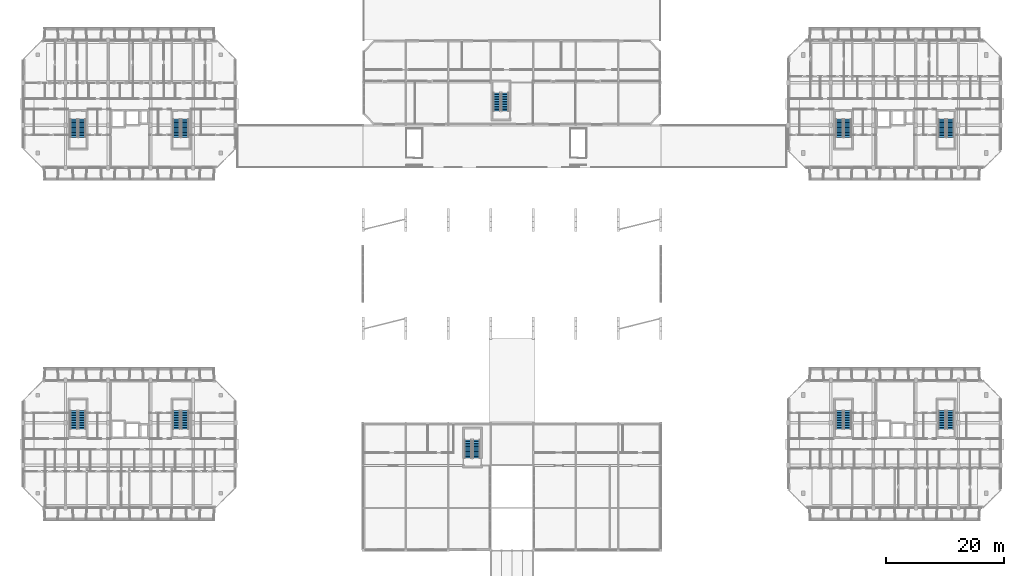
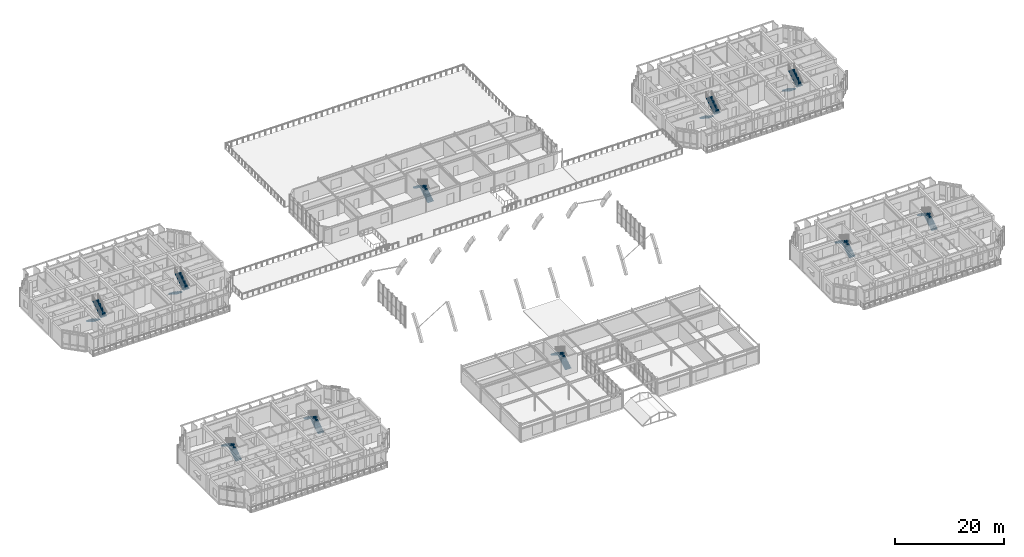
# One storey, part 63 of 85: 20 stair flights, 10 elements without a shape of their own.
"""IFC4 building model written with IfcOpenShell, lengths in metres."""

from ifc_helpers import new_model, si_unit, direction, frame, origin, place, context, subcontext, project, spatial, polyline, outline, extrude, material, type_object, element, aggregate, save


model = new_model("IFC4")

# Units and contexts
model_context = context("Model", 3, precision=1e-05, world=origin(), true_north=direction((0.0, 1.0)))
body_context = subcontext(model_context, "Body", "Model", "MODEL_VIEW")
ifc_project = project(units=[si_unit("LENGTHUNIT", "METRE"), si_unit("AREAUNIT", "SQUARE_METRE"), si_unit("VOLUMEUNIT", "CUBIC_METRE"), si_unit("PLANEANGLEUNIT", "RADIAN"), si_unit("MASSUNIT", "GRAM", prefix="KILO")], contexts=[model_context])

# Site, building, storey
site_placement = place(None, origin())
site = spatial("IfcSite", under=ifc_project, at=site_placement, CompositionType="ELEMENT")
building_placement = place(site_placement, origin())
building = spatial("IfcBuilding", under=site, at=building_placement, Name="Ochrevale Crest", CompositionType="ELEMENT")
storey_placement = place(building_placement, frame((0.0, 0.0, 4.5)))
storey = spatial("IfcBuildingStorey", under=building, at=storey_placement, Name="L01", CompositionType="ELEMENT", Elevation=4.5)

# Stair, stair flights
ifc_material = material(Name="Precast concrete C40/50", Category="concrete")
stair_type_1 = type_object("IfcStairType", Name="ST-CORE-DOG", PredefinedType="HALF_TURN_STAIR", material=ifc_material)
stair_1_placement = place(storey_placement, origin())
stair_1 = element("IfcStair", 1, at=stair_1_placement, inside=storey, type_object=stair_type_1, Name="L01 Block A Fire Stair 1", PredefinedType="HALF_TURN_STAIR")
stair_flight_type = type_object("IfcStairFlightType", Name="SFL-CORE-125", PredefinedType="STRAIGHT", material=ifc_material)
stair_flight_1_placement = place(storey_placement, frame((10.02490234375, 27.77490234375, 0.0), z_axis=(0.0, 0.0, 1.0), x_axis=(0.0, 1.0, 0.0)))
stair_flight_1 = element("IfcStairFlight", 2, at=stair_flight_1_placement, type_object=stair_flight_type, Name="ST-A1 flight 1", NumberOfRisers=12, NumberOfTreads=11, PredefinedType="STRAIGHT", RiserHeight=0.175, TreadLength=0.28, context=body_context, shape_type="SweptSolid", body=[
    extrude(outline(polyline([(0.0, 0.0), (0.0, 0.175048828125), (0.280029296875, 0.175048828125), (0.280029296875, 0.35009765625), (0.56005859375, 0.35009765625), (0.56005859375, 0.52490234375), (0.840087890625, 0.52490234375), (0.840087890625, 0.699951171875), (1.1201171875, 0.699951171875), (1.1201171875, 0.875), (1.39990234375, 0.875), (1.39990234375, 1.050048828125), (1.679931640625, 1.050048828125), (1.679931640625, 1.22509765625), (1.9599609375, 1.22509765625), (1.9599609375, 1.39990234375), (2.239990234375, 1.39990234375), (2.239990234375, 1.574951171875), (2.52001953125, 1.574951171875), (2.52001953125, 1.75), (2.800048828125, 1.75), (2.800048828125, 1.925048828125), (3.080078125, 1.925048828125), (3.080078125, 2.10009765625), (3.080078125, 1.748291015625), (0.28271484375, 0.0), (0.0, 0.0)])), frame((0.0, 0.625, 0.0), z_axis=(0.0, -1.0, 0.0), x_axis=(1.0, 0.0, 0.0)), (0.0, 0.0, 1.0), 1.25),
])
stair_flight_2_placement = place(storey_placement, frame((8.625, 30.85498046875, 2.10009765625), z_axis=(0.0, 0.0, 1.0), x_axis=(0.0, -1.0, 0.0)))
stair_flight_2 = element("IfcStairFlight", 3, at=stair_flight_2_placement, type_object=stair_flight_type, Name="ST-A1 flight 2", NumberOfRisers=12, NumberOfTreads=11, PredefinedType="STRAIGHT", RiserHeight=0.175, TreadLength=0.28, context=body_context, shape_type="SweptSolid", body=[
    extrude(outline(polyline([(0.0, 0.0), (0.0, 0.175048828125), (0.280029296875, 0.175048828125), (0.280029296875, 0.35009765625), (0.56005859375, 0.35009765625), (0.56005859375, 0.52490234375), (0.840087890625, 0.52490234375), (0.840087890625, 0.699951171875), (1.1201171875, 0.699951171875), (1.1201171875, 0.875), (1.39990234375, 0.875), (1.39990234375, 1.050048828125), (1.679931640625, 1.050048828125), (1.679931640625, 1.22509765625), (1.9599609375, 1.22509765625), (1.9599609375, 1.39990234375), (2.239990234375, 1.39990234375), (2.239990234375, 1.574951171875), (2.52001953125, 1.574951171875), (2.52001953125, 1.75), (2.800048828125, 1.75), (2.800048828125, 1.925048828125), (3.080078125, 1.925048828125), (3.080078125, 2.10009765625), (3.080078125, 1.748291015625), (0.28271484375, 0.0), (0.0, 0.0)])), frame((0.0, 0.625, 0.0), z_axis=(0.0, -1.0, 0.0), x_axis=(1.0, 0.0, 0.0)), (0.0, 0.0, 1.0), 1.25),
])
aggregate(stair_1, [stair_flight_1, stair_flight_2])

stair_2_placement = place(storey_placement, origin())
stair_2 = element("IfcStair", 4, at=stair_2_placement, inside=storey, type_object=stair_type_1, Name="L01 Block A Fire Stair 2", PredefinedType="HALF_TURN_STAIR")
stair_flight_3_placement = place(storey_placement, frame((27.425048828125, 27.77490234375, 0.0), z_axis=(0.0, 0.0, 1.0), x_axis=(0.0, 1.0, 0.0)))
stair_flight_3 = element("IfcStairFlight", 5, at=stair_flight_3_placement, type_object=stair_flight_type, Name="ST-A2 flight 1", NumberOfRisers=12, NumberOfTreads=11, PredefinedType="STRAIGHT", RiserHeight=0.175, TreadLength=0.28, context=body_context, shape_type="SweptSolid", body=[
    extrude(outline(polyline([(0.0, 0.0), (0.0, 0.175048828125), (0.280029296875, 0.175048828125), (0.280029296875, 0.35009765625), (0.56005859375, 0.35009765625), (0.56005859375, 0.52490234375), (0.840087890625, 0.52490234375), (0.840087890625, 0.699951171875), (1.1201171875, 0.699951171875), (1.1201171875, 0.875), (1.39990234375, 0.875), (1.39990234375, 1.050048828125), (1.679931640625, 1.050048828125), (1.679931640625, 1.22509765625), (1.9599609375, 1.22509765625), (1.9599609375, 1.39990234375), (2.239990234375, 1.39990234375), (2.239990234375, 1.574951171875), (2.52001953125, 1.574951171875), (2.52001953125, 1.75), (2.800048828125, 1.75), (2.800048828125, 1.925048828125), (3.080078125, 1.925048828125), (3.080078125, 2.10009765625), (3.080078125, 1.748291015625), (0.28271484375, 0.0), (0.0, 0.0)])), frame((0.0, 0.625, 0.0), z_axis=(0.0, -1.0, 0.0), x_axis=(1.0, 0.0, 0.0)), (0.0, 0.0, 1.0), 1.25),
])
stair_flight_4_placement = place(storey_placement, frame((26.02490234375, 30.85498046875, 2.10009765625), z_axis=(0.0, 0.0, 1.0), x_axis=(0.0, -1.0, 0.0)))
stair_flight_4 = element("IfcStairFlight", 6, at=stair_flight_4_placement, type_object=stair_flight_type, Name="ST-A2 flight 2", NumberOfRisers=12, NumberOfTreads=11, PredefinedType="STRAIGHT", RiserHeight=0.175, TreadLength=0.28, context=body_context, shape_type="SweptSolid", body=[
    extrude(outline(polyline([(0.0, 0.0), (0.0, 0.175048828125), (0.280029296875, 0.175048828125), (0.280029296875, 0.35009765625), (0.56005859375, 0.35009765625), (0.56005859375, 0.52490234375), (0.840087890625, 0.52490234375), (0.840087890625, 0.699951171875), (1.1201171875, 0.699951171875), (1.1201171875, 0.875), (1.39990234375, 0.875), (1.39990234375, 1.050048828125), (1.679931640625, 1.050048828125), (1.679931640625, 1.22509765625), (1.9599609375, 1.22509765625), (1.9599609375, 1.39990234375), (2.239990234375, 1.39990234375), (2.239990234375, 1.574951171875), (2.52001953125, 1.574951171875), (2.52001953125, 1.75), (2.800048828125, 1.75), (2.800048828125, 1.925048828125), (3.080078125, 1.925048828125), (3.080078125, 2.10009765625), (3.080078125, 1.748291015625), (0.28271484375, 0.0), (0.0, 0.0)])), frame((0.0, 0.625, 0.0), z_axis=(0.0, -1.0, 0.0), x_axis=(1.0, 0.0, 0.0)), (0.0, 0.0, 1.0), 1.25),
])
aggregate(stair_2, [stair_flight_3, stair_flight_4])

stair_3_placement = place(storey_placement, origin())
stair_3 = element("IfcStair", 7, at=stair_3_placement, inside=storey, type_object=stair_type_1, Name="L01 Block B Fire Stair 1", PredefinedType="HALF_TURN_STAIR")
stair_flight_5_placement = place(storey_placement, frame((8.625, 80.22509765625, 0.0), z_axis=(0.0, 0.0, 1.0), x_axis=(0.0, -1.0, 0.0)))
stair_flight_5 = element("IfcStairFlight", 8, at=stair_flight_5_placement, type_object=stair_flight_type, Name="ST-B1 flight 1", NumberOfRisers=12, NumberOfTreads=11, PredefinedType="STRAIGHT", RiserHeight=0.175, TreadLength=0.28, context=body_context, shape_type="SweptSolid", body=[
    extrude(outline(polyline([(0.0, 0.0), (0.0, 0.175048828125), (0.280029296875, 0.175048828125), (0.280029296875, 0.35009765625), (0.56005859375, 0.35009765625), (0.56005859375, 0.52490234375), (0.840087890625, 0.52490234375), (0.840087890625, 0.699951171875), (1.1201171875, 0.699951171875), (1.1201171875, 0.875), (1.39990234375, 0.875), (1.39990234375, 1.050048828125), (1.679931640625, 1.050048828125), (1.679931640625, 1.22509765625), (1.9599609375, 1.22509765625), (1.9599609375, 1.39990234375), (2.239990234375, 1.39990234375), (2.239990234375, 1.574951171875), (2.52001953125, 1.574951171875), (2.52001953125, 1.75), (2.800048828125, 1.75), (2.800048828125, 1.925048828125), (3.080078125, 1.925048828125), (3.080078125, 2.10009765625), (3.080078125, 1.748291015625), (0.28271484375, 0.0), (0.0, 0.0)])), frame((0.0, 0.625, 0.0), z_axis=(0.0, -1.0, 0.0), x_axis=(1.0, 0.0, 0.0)), (0.0, 0.0, 1.0), 1.25),
])
stair_flight_6_placement = place(storey_placement, frame((10.02490234375, 77.14501953125, 2.10009765625), z_axis=(0.0, 0.0, 1.0), x_axis=(0.0, 1.0, 0.0)))
stair_flight_6 = element("IfcStairFlight", 9, at=stair_flight_6_placement, type_object=stair_flight_type, Name="ST-B1 flight 2", NumberOfRisers=12, NumberOfTreads=11, PredefinedType="STRAIGHT", RiserHeight=0.175, TreadLength=0.28, context=body_context, shape_type="SweptSolid", body=[
    extrude(outline(polyline([(0.0, 0.0), (0.0, 0.175048828125), (0.280029296875, 0.175048828125), (0.280029296875, 0.35009765625), (0.56005859375, 0.35009765625), (0.56005859375, 0.52490234375), (0.840087890625, 0.52490234375), (0.840087890625, 0.699951171875), (1.1201171875, 0.699951171875), (1.1201171875, 0.875), (1.39990234375, 0.875), (1.39990234375, 1.050048828125), (1.679931640625, 1.050048828125), (1.679931640625, 1.22509765625), (1.9599609375, 1.22509765625), (1.9599609375, 1.39990234375), (2.239990234375, 1.39990234375), (2.239990234375, 1.574951171875), (2.52001953125, 1.574951171875), (2.52001953125, 1.75), (2.800048828125, 1.75), (2.800048828125, 1.925048828125), (3.080078125, 1.925048828125), (3.080078125, 2.10009765625), (3.080078125, 1.748291015625), (0.28271484375, 0.0), (0.0, 0.0)])), frame((0.0, 0.625, 0.0), z_axis=(0.0, -1.0, 0.0), x_axis=(1.0, 0.0, 0.0)), (0.0, 0.0, 1.0), 1.25),
])
aggregate(stair_3, [stair_flight_5, stair_flight_6])

stair_4_placement = place(storey_placement, origin())
stair_4 = element("IfcStair", 10, at=stair_4_placement, inside=storey, type_object=stair_type_1, Name="L01 Block B Fire Stair 2", PredefinedType="HALF_TURN_STAIR")
stair_flight_7_placement = place(storey_placement, frame((26.02490234375, 80.22509765625, 0.0), z_axis=(0.0, 0.0, 1.0), x_axis=(0.0, -1.0, 0.0)))
stair_flight_7 = element("IfcStairFlight", 11, at=stair_flight_7_placement, type_object=stair_flight_type, Name="ST-B2 flight 1", NumberOfRisers=12, NumberOfTreads=11, PredefinedType="STRAIGHT", RiserHeight=0.175, TreadLength=0.28, context=body_context, shape_type="SweptSolid", body=[
    extrude(outline(polyline([(0.0, 0.0), (0.0, 0.175048828125), (0.280029296875, 0.175048828125), (0.280029296875, 0.35009765625), (0.56005859375, 0.35009765625), (0.56005859375, 0.52490234375), (0.840087890625, 0.52490234375), (0.840087890625, 0.699951171875), (1.1201171875, 0.699951171875), (1.1201171875, 0.875), (1.39990234375, 0.875), (1.39990234375, 1.050048828125), (1.679931640625, 1.050048828125), (1.679931640625, 1.22509765625), (1.9599609375, 1.22509765625), (1.9599609375, 1.39990234375), (2.239990234375, 1.39990234375), (2.239990234375, 1.574951171875), (2.52001953125, 1.574951171875), (2.52001953125, 1.75), (2.800048828125, 1.75), (2.800048828125, 1.925048828125), (3.080078125, 1.925048828125), (3.080078125, 2.10009765625), (3.080078125, 1.748291015625), (0.28271484375, 0.0), (0.0, 0.0)])), frame((0.0, 0.625, 0.0), z_axis=(0.0, -1.0, 0.0), x_axis=(1.0, 0.0, 0.0)), (0.0, 0.0, 1.0), 1.25),
])
stair_flight_8_placement = place(storey_placement, frame((27.425048828125, 77.14501953125, 2.10009765625), z_axis=(0.0, 0.0, 1.0), x_axis=(0.0, 1.0, 0.0)))
stair_flight_8 = element("IfcStairFlight", 12, at=stair_flight_8_placement, type_object=stair_flight_type, Name="ST-B2 flight 2", NumberOfRisers=12, NumberOfTreads=11, PredefinedType="STRAIGHT", RiserHeight=0.175, TreadLength=0.28, context=body_context, shape_type="SweptSolid", body=[
    extrude(outline(polyline([(0.0, 0.0), (0.0, 0.175048828125), (0.280029296875, 0.175048828125), (0.280029296875, 0.35009765625), (0.56005859375, 0.35009765625), (0.56005859375, 0.52490234375), (0.840087890625, 0.52490234375), (0.840087890625, 0.699951171875), (1.1201171875, 0.699951171875), (1.1201171875, 0.875), (1.39990234375, 0.875), (1.39990234375, 1.050048828125), (1.679931640625, 1.050048828125), (1.679931640625, 1.22509765625), (1.9599609375, 1.22509765625), (1.9599609375, 1.39990234375), (2.239990234375, 1.39990234375), (2.239990234375, 1.574951171875), (2.52001953125, 1.574951171875), (2.52001953125, 1.75), (2.800048828125, 1.75), (2.800048828125, 1.925048828125), (3.080078125, 1.925048828125), (3.080078125, 2.10009765625), (3.080078125, 1.748291015625), (0.28271484375, 0.0), (0.0, 0.0)])), frame((0.0, 0.625, 0.0), z_axis=(0.0, -1.0, 0.0), x_axis=(1.0, 0.0, 0.0)), (0.0, 0.0, 1.0), 1.25),
])
aggregate(stair_4, [stair_flight_7, stair_flight_8])

stair_5_placement = place(storey_placement, origin())
stair_5 = element("IfcStair", 13, at=stair_5_placement, inside=storey, type_object=stair_type_1, Name="L01 Block C Fire Stair 1", PredefinedType="HALF_TURN_STAIR")
stair_flight_9_placement = place(storey_placement, frame((139.625, 27.77490234375, 0.0), z_axis=(0.0, 0.0, 1.0), x_axis=(0.0, 1.0, 0.0)))
stair_flight_9 = element("IfcStairFlight", 14, at=stair_flight_9_placement, type_object=stair_flight_type, Name="ST-C1 flight 1", NumberOfRisers=12, NumberOfTreads=11, PredefinedType="STRAIGHT", RiserHeight=0.175, TreadLength=0.28, context=body_context, shape_type="SweptSolid", body=[
    extrude(outline(polyline([(0.0, 0.0), (0.0, 0.175048828125), (0.280029296875, 0.175048828125), (0.280029296875, 0.35009765625), (0.56005859375, 0.35009765625), (0.56005859375, 0.52490234375), (0.840087890625, 0.52490234375), (0.840087890625, 0.699951171875), (1.1201171875, 0.699951171875), (1.1201171875, 0.875), (1.39990234375, 0.875), (1.39990234375, 1.050048828125), (1.679931640625, 1.050048828125), (1.679931640625, 1.22509765625), (1.9599609375, 1.22509765625), (1.9599609375, 1.39990234375), (2.239990234375, 1.39990234375), (2.239990234375, 1.574951171875), (2.52001953125, 1.574951171875), (2.52001953125, 1.75), (2.800048828125, 1.75), (2.800048828125, 1.925048828125), (3.080078125, 1.925048828125), (3.080078125, 2.10009765625), (3.080078125, 1.748291015625), (0.28271484375, 0.0), (0.0, 0.0)])), frame((0.0, 0.625, 0.0), z_axis=(0.0, -1.0, 0.0), x_axis=(1.0, 0.0, 0.0)), (0.0, 0.0, 1.0), 1.25),
])
stair_flight_10_placement = place(storey_placement, frame((138.22509765625, 30.85498046875, 2.10009765625), z_axis=(0.0, 0.0, 1.0), x_axis=(0.0, -1.0, 0.0)))
stair_flight_10 = element("IfcStairFlight", 15, at=stair_flight_10_placement, type_object=stair_flight_type, Name="ST-C1 flight 2", NumberOfRisers=12, NumberOfTreads=11, PredefinedType="STRAIGHT", RiserHeight=0.175, TreadLength=0.28, context=body_context, shape_type="SweptSolid", body=[
    extrude(outline(polyline([(0.0, 0.0), (0.0, 0.175048828125), (0.280029296875, 0.175048828125), (0.280029296875, 0.35009765625), (0.56005859375, 0.35009765625), (0.56005859375, 0.52490234375), (0.840087890625, 0.52490234375), (0.840087890625, 0.699951171875), (1.1201171875, 0.699951171875), (1.1201171875, 0.875), (1.39990234375, 0.875), (1.39990234375, 1.050048828125), (1.679931640625, 1.050048828125), (1.679931640625, 1.22509765625), (1.9599609375, 1.22509765625), (1.9599609375, 1.39990234375), (2.239990234375, 1.39990234375), (2.239990234375, 1.574951171875), (2.52001953125, 1.574951171875), (2.52001953125, 1.75), (2.800048828125, 1.75), (2.800048828125, 1.925048828125), (3.080078125, 1.925048828125), (3.080078125, 2.10009765625), (3.080078125, 1.748291015625), (0.28271484375, 0.0), (0.0, 0.0)])), frame((0.0, 0.625, 0.0), z_axis=(0.0, -1.0, 0.0), x_axis=(1.0, 0.0, 0.0)), (0.0, 0.0, 1.0), 1.25),
])
aggregate(stair_5, [stair_flight_9, stair_flight_10])

stair_6_placement = place(storey_placement, origin())
stair_6 = element("IfcStair", 16, at=stair_6_placement, inside=storey, type_object=stair_type_1, Name="L01 Block C Fire Stair 2", PredefinedType="HALF_TURN_STAIR")
stair_flight_11_placement = place(storey_placement, frame((157.02490234375, 27.77490234375, 0.0), z_axis=(0.0, 0.0, 1.0), x_axis=(0.0, 1.0, 0.0)))
stair_flight_11 = element("IfcStairFlight", 17, at=stair_flight_11_placement, type_object=stair_flight_type, Name="ST-C2 flight 1", NumberOfRisers=12, NumberOfTreads=11, PredefinedType="STRAIGHT", RiserHeight=0.175, TreadLength=0.28, context=body_context, shape_type="SweptSolid", body=[
    extrude(outline(polyline([(0.0, 0.0), (0.0, 0.175048828125), (0.280029296875, 0.175048828125), (0.280029296875, 0.35009765625), (0.56005859375, 0.35009765625), (0.56005859375, 0.52490234375), (0.840087890625, 0.52490234375), (0.840087890625, 0.699951171875), (1.1201171875, 0.699951171875), (1.1201171875, 0.875), (1.39990234375, 0.875), (1.39990234375, 1.050048828125), (1.679931640625, 1.050048828125), (1.679931640625, 1.22509765625), (1.9599609375, 1.22509765625), (1.9599609375, 1.39990234375), (2.239990234375, 1.39990234375), (2.239990234375, 1.574951171875), (2.52001953125, 1.574951171875), (2.52001953125, 1.75), (2.800048828125, 1.75), (2.800048828125, 1.925048828125), (3.080078125, 1.925048828125), (3.080078125, 2.10009765625), (3.080078125, 1.748291015625), (0.28271484375, 0.0), (0.0, 0.0)])), frame((0.0, 0.625, 0.0), z_axis=(0.0, -1.0, 0.0), x_axis=(1.0, 0.0, 0.0)), (0.0, 0.0, 1.0), 1.25),
])
stair_flight_12_placement = place(storey_placement, frame((155.625, 30.85498046875, 2.10009765625), z_axis=(0.0, 0.0, 1.0), x_axis=(0.0, -1.0, 0.0)))
stair_flight_12 = element("IfcStairFlight", 18, at=stair_flight_12_placement, type_object=stair_flight_type, Name="ST-C2 flight 2", NumberOfRisers=12, NumberOfTreads=11, PredefinedType="STRAIGHT", RiserHeight=0.175, TreadLength=0.28, context=body_context, shape_type="SweptSolid", body=[
    extrude(outline(polyline([(0.0, 0.0), (0.0, 0.175048828125), (0.280029296875, 0.175048828125), (0.280029296875, 0.35009765625), (0.56005859375, 0.35009765625), (0.56005859375, 0.52490234375), (0.840087890625, 0.52490234375), (0.840087890625, 0.699951171875), (1.1201171875, 0.699951171875), (1.1201171875, 0.875), (1.39990234375, 0.875), (1.39990234375, 1.050048828125), (1.679931640625, 1.050048828125), (1.679931640625, 1.22509765625), (1.9599609375, 1.22509765625), (1.9599609375, 1.39990234375), (2.239990234375, 1.39990234375), (2.239990234375, 1.574951171875), (2.52001953125, 1.574951171875), (2.52001953125, 1.75), (2.800048828125, 1.75), (2.800048828125, 1.925048828125), (3.080078125, 1.925048828125), (3.080078125, 2.10009765625), (3.080078125, 1.748291015625), (0.28271484375, 0.0), (0.0, 0.0)])), frame((0.0, 0.625, 0.0), z_axis=(0.0, -1.0, 0.0), x_axis=(1.0, 0.0, 0.0)), (0.0, 0.0, 1.0), 1.25),
])
aggregate(stair_6, [stair_flight_11, stair_flight_12])

stair_7_placement = place(storey_placement, origin())
stair_7 = element("IfcStair", 19, at=stair_7_placement, inside=storey, type_object=stair_type_1, Name="L01 Block D Fire Stair 1", PredefinedType="HALF_TURN_STAIR")
stair_flight_13_placement = place(storey_placement, frame((138.22509765625, 80.22509765625, 0.0), z_axis=(0.0, 0.0, 1.0), x_axis=(0.0, -1.0, 0.0)))
stair_flight_13 = element("IfcStairFlight", 20, at=stair_flight_13_placement, type_object=stair_flight_type, Name="ST-D1 flight 1", NumberOfRisers=12, NumberOfTreads=11, PredefinedType="STRAIGHT", RiserHeight=0.175, TreadLength=0.28, context=body_context, shape_type="SweptSolid", body=[
    extrude(outline(polyline([(0.0, 0.0), (0.0, 0.175048828125), (0.280029296875, 0.175048828125), (0.280029296875, 0.35009765625), (0.56005859375, 0.35009765625), (0.56005859375, 0.52490234375), (0.840087890625, 0.52490234375), (0.840087890625, 0.699951171875), (1.1201171875, 0.699951171875), (1.1201171875, 0.875), (1.39990234375, 0.875), (1.39990234375, 1.050048828125), (1.679931640625, 1.050048828125), (1.679931640625, 1.22509765625), (1.9599609375, 1.22509765625), (1.9599609375, 1.39990234375), (2.239990234375, 1.39990234375), (2.239990234375, 1.574951171875), (2.52001953125, 1.574951171875), (2.52001953125, 1.75), (2.800048828125, 1.75), (2.800048828125, 1.925048828125), (3.080078125, 1.925048828125), (3.080078125, 2.10009765625), (3.080078125, 1.748291015625), (0.28271484375, 0.0), (0.0, 0.0)])), frame((0.0, 0.625, 0.0), z_axis=(0.0, -1.0, 0.0), x_axis=(1.0, 0.0, 0.0)), (0.0, 0.0, 1.0), 1.25),
])
stair_flight_14_placement = place(storey_placement, frame((139.625, 77.14501953125, 2.10009765625), z_axis=(0.0, 0.0, 1.0), x_axis=(0.0, 1.0, 0.0)))
stair_flight_14 = element("IfcStairFlight", 21, at=stair_flight_14_placement, type_object=stair_flight_type, Name="ST-D1 flight 2", NumberOfRisers=12, NumberOfTreads=11, PredefinedType="STRAIGHT", RiserHeight=0.175, TreadLength=0.28, context=body_context, shape_type="SweptSolid", body=[
    extrude(outline(polyline([(0.0, 0.0), (0.0, 0.175048828125), (0.280029296875, 0.175048828125), (0.280029296875, 0.35009765625), (0.56005859375, 0.35009765625), (0.56005859375, 0.52490234375), (0.840087890625, 0.52490234375), (0.840087890625, 0.699951171875), (1.1201171875, 0.699951171875), (1.1201171875, 0.875), (1.39990234375, 0.875), (1.39990234375, 1.050048828125), (1.679931640625, 1.050048828125), (1.679931640625, 1.22509765625), (1.9599609375, 1.22509765625), (1.9599609375, 1.39990234375), (2.239990234375, 1.39990234375), (2.239990234375, 1.574951171875), (2.52001953125, 1.574951171875), (2.52001953125, 1.75), (2.800048828125, 1.75), (2.800048828125, 1.925048828125), (3.080078125, 1.925048828125), (3.080078125, 2.10009765625), (3.080078125, 1.748291015625), (0.28271484375, 0.0), (0.0, 0.0)])), frame((0.0, 0.625, 0.0), z_axis=(0.0, -1.0, 0.0), x_axis=(1.0, 0.0, 0.0)), (0.0, 0.0, 1.0), 1.25),
])
aggregate(stair_7, [stair_flight_13, stair_flight_14])

stair_8_placement = place(storey_placement, origin())
stair_8 = element("IfcStair", 22, at=stair_8_placement, inside=storey, type_object=stair_type_1, Name="L01 Block D Fire Stair 2", PredefinedType="HALF_TURN_STAIR")
stair_flight_15_placement = place(storey_placement, frame((155.625, 80.22509765625, 0.0), z_axis=(0.0, 0.0, 1.0), x_axis=(0.0, -1.0, 0.0)))
stair_flight_15 = element("IfcStairFlight", 23, at=stair_flight_15_placement, type_object=stair_flight_type, Name="ST-D2 flight 1", NumberOfRisers=12, NumberOfTreads=11, PredefinedType="STRAIGHT", RiserHeight=0.175, TreadLength=0.28, context=body_context, shape_type="SweptSolid", body=[
    extrude(outline(polyline([(0.0, 0.0), (0.0, 0.175048828125), (0.280029296875, 0.175048828125), (0.280029296875, 0.35009765625), (0.56005859375, 0.35009765625), (0.56005859375, 0.52490234375), (0.840087890625, 0.52490234375), (0.840087890625, 0.699951171875), (1.1201171875, 0.699951171875), (1.1201171875, 0.875), (1.39990234375, 0.875), (1.39990234375, 1.050048828125), (1.679931640625, 1.050048828125), (1.679931640625, 1.22509765625), (1.9599609375, 1.22509765625), (1.9599609375, 1.39990234375), (2.239990234375, 1.39990234375), (2.239990234375, 1.574951171875), (2.52001953125, 1.574951171875), (2.52001953125, 1.75), (2.800048828125, 1.75), (2.800048828125, 1.925048828125), (3.080078125, 1.925048828125), (3.080078125, 2.10009765625), (3.080078125, 1.748291015625), (0.28271484375, 0.0), (0.0, 0.0)])), frame((0.0, 0.625, 0.0), z_axis=(0.0, -1.0, 0.0), x_axis=(1.0, 0.0, 0.0)), (0.0, 0.0, 1.0), 1.25),
])
stair_flight_16_placement = place(storey_placement, frame((157.02490234375, 77.14501953125, 2.10009765625), z_axis=(0.0, 0.0, 1.0), x_axis=(0.0, 1.0, 0.0)))
stair_flight_16 = element("IfcStairFlight", 24, at=stair_flight_16_placement, type_object=stair_flight_type, Name="ST-D2 flight 2", NumberOfRisers=12, NumberOfTreads=11, PredefinedType="STRAIGHT", RiserHeight=0.175, TreadLength=0.28, context=body_context, shape_type="SweptSolid", body=[
    extrude(outline(polyline([(0.0, 0.0), (0.0, 0.175048828125), (0.280029296875, 0.175048828125), (0.280029296875, 0.35009765625), (0.56005859375, 0.35009765625), (0.56005859375, 0.52490234375), (0.840087890625, 0.52490234375), (0.840087890625, 0.699951171875), (1.1201171875, 0.699951171875), (1.1201171875, 0.875), (1.39990234375, 0.875), (1.39990234375, 1.050048828125), (1.679931640625, 1.050048828125), (1.679931640625, 1.22509765625), (1.9599609375, 1.22509765625), (1.9599609375, 1.39990234375), (2.239990234375, 1.39990234375), (2.239990234375, 1.574951171875), (2.52001953125, 1.574951171875), (2.52001953125, 1.75), (2.800048828125, 1.75), (2.800048828125, 1.925048828125), (3.080078125, 1.925048828125), (3.080078125, 2.10009765625), (3.080078125, 1.748291015625), (0.28271484375, 0.0), (0.0, 0.0)])), frame((0.0, 0.625, 0.0), z_axis=(0.0, -1.0, 0.0), x_axis=(1.0, 0.0, 0.0)), (0.0, 0.0, 1.0), 1.25),
])
aggregate(stair_8, [stair_flight_15, stair_flight_16])

stair_type_2 = type_object("IfcStairType", Name="ST-CIVIC-DOG", PredefinedType="HALF_TURN_STAIR", material=ifc_material)
stair_9_placement = place(storey_placement, origin())
stair_9 = element("IfcStair", 25, at=stair_9_placement, inside=storey, type_object=stair_type_2, Name="L01 Nursery Roof-Garden Stair", PredefinedType="HALF_TURN_STAIR")
stair_flight_17_placement = place(storey_placement, frame((81.625, 81.574951171875, 0.0), z_axis=(0.0, 0.0, 1.0), x_axis=(0.0, 1.0, 0.0)))
stair_flight_17 = element("IfcStairFlight", 26, at=stair_flight_17_placement, type_object=stair_flight_type, Name="ST-N1 flight 1", NumberOfRisers=12, NumberOfTreads=11, PredefinedType="STRAIGHT", RiserHeight=0.175, TreadLength=0.28, context=body_context, shape_type="SweptSolid", body=[
    extrude(outline(polyline([(0.0, 0.0), (0.0, 0.175048828125), (0.280029296875, 0.175048828125), (0.280029296875, 0.35009765625), (0.56005859375, 0.35009765625), (0.56005859375, 0.52490234375), (0.840087890625, 0.52490234375), (0.840087890625, 0.699951171875), (1.1201171875, 0.699951171875), (1.1201171875, 0.875), (1.39990234375, 0.875), (1.39990234375, 1.050048828125), (1.679931640625, 1.050048828125), (1.679931640625, 1.22509765625), (1.9599609375, 1.22509765625), (1.9599609375, 1.39990234375), (2.239990234375, 1.39990234375), (2.239990234375, 1.574951171875), (2.52001953125, 1.574951171875), (2.52001953125, 1.75), (2.800048828125, 1.75), (2.800048828125, 1.925048828125), (3.080078125, 1.925048828125), (3.080078125, 2.10009765625), (3.080078125, 1.748291015625), (0.28271484375, 0.0), (0.0, 0.0)])), frame((0.0, 0.625, 0.0), z_axis=(0.0, -1.0, 0.0), x_axis=(1.0, 0.0, 0.0)), (0.0, 0.0, 1.0), 1.25),
])
stair_flight_18_placement = place(storey_placement, frame((80.22509765625, 84.655029296875, 2.10009765625), z_axis=(0.0, 0.0, 1.0), x_axis=(0.0, -1.0, 0.0)))
stair_flight_18 = element("IfcStairFlight", 27, at=stair_flight_18_placement, type_object=stair_flight_type, Name="ST-N1 flight 2", NumberOfRisers=12, NumberOfTreads=11, PredefinedType="STRAIGHT", RiserHeight=0.175, TreadLength=0.28, context=body_context, shape_type="SweptSolid", body=[
    extrude(outline(polyline([(0.0, 0.0), (0.0, 0.175048828125), (0.280029296875, 0.175048828125), (0.280029296875, 0.35009765625), (0.56005859375, 0.35009765625), (0.56005859375, 0.52490234375), (0.840087890625, 0.52490234375), (0.840087890625, 0.699951171875), (1.1201171875, 0.699951171875), (1.1201171875, 0.875), (1.39990234375, 0.875), (1.39990234375, 1.050048828125), (1.679931640625, 1.050048828125), (1.679931640625, 1.22509765625), (1.9599609375, 1.22509765625), (1.9599609375, 1.39990234375), (2.239990234375, 1.39990234375), (2.239990234375, 1.574951171875), (2.52001953125, 1.574951171875), (2.52001953125, 1.75), (2.800048828125, 1.75), (2.800048828125, 1.925048828125), (3.080078125, 1.925048828125), (3.080078125, 2.10009765625), (3.080078125, 1.748291015625), (0.28271484375, 0.0), (0.0, 0.0)])), frame((0.0, 0.625, 0.0), z_axis=(0.0, -1.0, 0.0), x_axis=(1.0, 0.0, 0.0)), (0.0, 0.0, 1.0), 1.25),
])
aggregate(stair_9, [stair_flight_17, stair_flight_18])

stair_10_placement = place(storey_placement, origin())
stair_10 = element("IfcStair", 28, at=stair_10_placement, inside=storey, type_object=stair_type_2, Name="L01 Boulevard Roof-Garden Stair", PredefinedType="HALF_TURN_STAIR")
stair_flight_19_placement = place(storey_placement, frame((76.77490234375, 22.824951171875, 0.0), z_axis=(0.0, 0.0, 1.0), x_axis=(0.0, 1.0, 0.0)))
stair_flight_19 = element("IfcStairFlight", 29, at=stair_flight_19_placement, type_object=stair_flight_type, Name="ST-R1 flight 1", NumberOfRisers=12, NumberOfTreads=11, PredefinedType="STRAIGHT", RiserHeight=0.175, TreadLength=0.28, context=body_context, shape_type="SweptSolid", body=[
    extrude(outline(polyline([(0.0, 0.0), (0.0, 0.175048828125), (0.280029296875, 0.175048828125), (0.280029296875, 0.35009765625), (0.56005859375, 0.35009765625), (0.56005859375, 0.52490234375), (0.840087890625, 0.52490234375), (0.840087890625, 0.699951171875), (1.1201171875, 0.699951171875), (1.1201171875, 0.875), (1.39990234375, 0.875), (1.39990234375, 1.050048828125), (1.679931640625, 1.050048828125), (1.679931640625, 1.22509765625), (1.9599609375, 1.22509765625), (1.9599609375, 1.39990234375), (2.239990234375, 1.39990234375), (2.239990234375, 1.574951171875), (2.52001953125, 1.574951171875), (2.52001953125, 1.75), (2.800048828125, 1.75), (2.800048828125, 1.925048828125), (3.080078125, 1.925048828125), (3.080078125, 2.10009765625), (3.080078125, 1.748291015625), (0.28271484375, 0.0), (0.0, 0.0)])), frame((0.0, 0.625, 0.0), z_axis=(0.0, -1.0, 0.0), x_axis=(1.0, 0.0, 0.0)), (0.0, 0.0, 1.0), 1.25),
])
stair_flight_20_placement = place(storey_placement, frame((75.375, 25.905029296875, 2.10009765625), z_axis=(0.0, 0.0, 1.0), x_axis=(0.0, -1.0, 0.0)))
stair_flight_20 = element("IfcStairFlight", 30, at=stair_flight_20_placement, type_object=stair_flight_type, Name="ST-R1 flight 2", NumberOfRisers=12, NumberOfTreads=11, PredefinedType="STRAIGHT", RiserHeight=0.175, TreadLength=0.28, context=body_context, shape_type="SweptSolid", body=[
    extrude(outline(polyline([(0.0, 0.0), (0.0, 0.175048828125), (0.280029296875, 0.175048828125), (0.280029296875, 0.35009765625), (0.56005859375, 0.35009765625), (0.56005859375, 0.52490234375), (0.840087890625, 0.52490234375), (0.840087890625, 0.699951171875), (1.1201171875, 0.699951171875), (1.1201171875, 0.875), (1.39990234375, 0.875), (1.39990234375, 1.050048828125), (1.679931640625, 1.050048828125), (1.679931640625, 1.22509765625), (1.9599609375, 1.22509765625), (1.9599609375, 1.39990234375), (2.239990234375, 1.39990234375), (2.239990234375, 1.574951171875), (2.52001953125, 1.574951171875), (2.52001953125, 1.75), (2.800048828125, 1.75), (2.800048828125, 1.925048828125), (3.080078125, 1.925048828125), (3.080078125, 2.10009765625), (3.080078125, 1.748291015625), (0.28271484375, 0.0), (0.0, 0.0)])), frame((0.0, 0.625, 0.0), z_axis=(0.0, -1.0, 0.0), x_axis=(1.0, 0.0, 0.0)), (0.0, 0.0, 1.0), 1.25),
])
aggregate(stair_10, [stair_flight_19, stair_flight_20])

save(model, "model.ifc")
